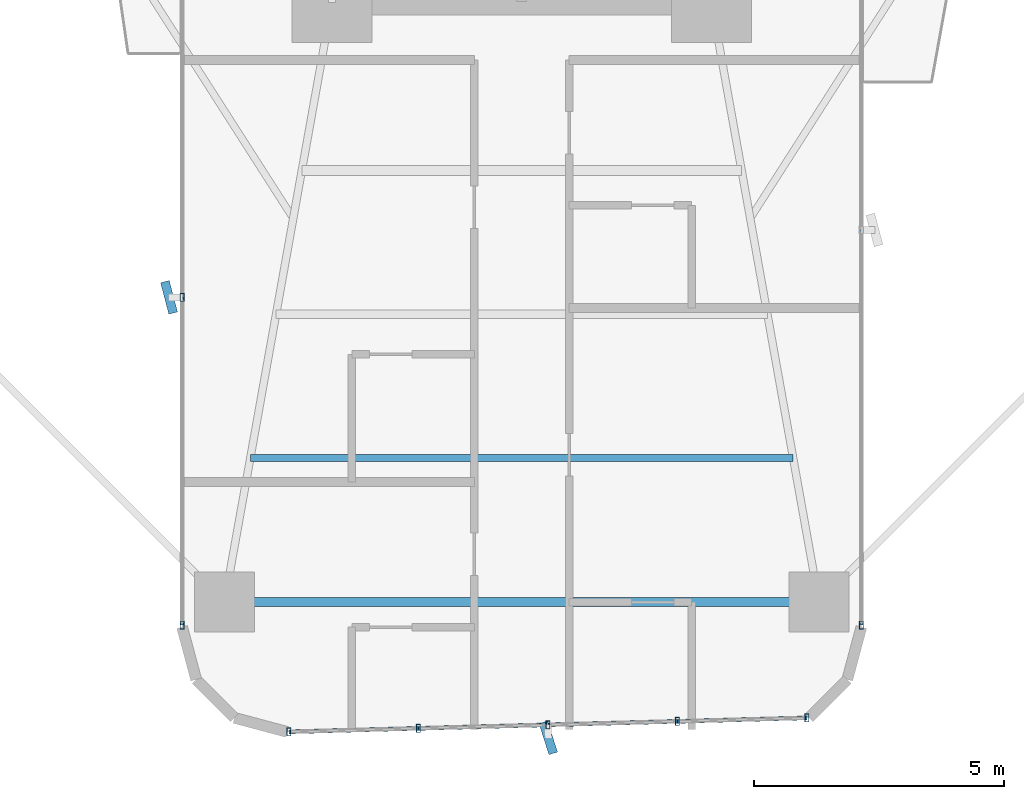
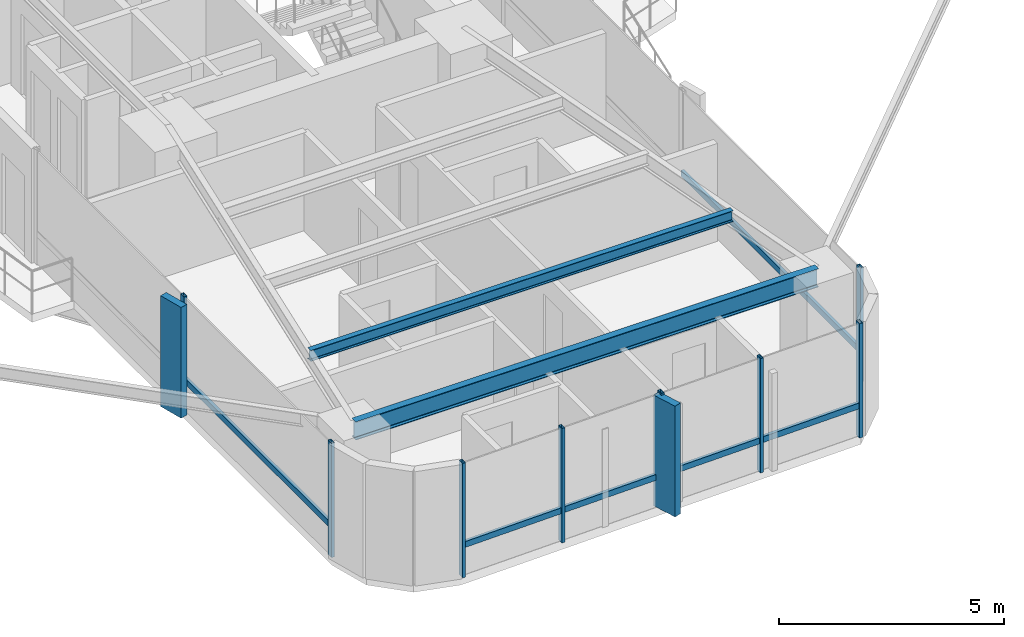
# One storey, part 2 of 26: 16 members, 2 beams, 3 elements without a shape of their own.
"""IFC4 building model written with IfcOpenShell, lengths in metres."""

import ifcopenshell
import ifcopenshell.guid

model = None  # the IFC model being written
_history = None  # IfcOwnerHistory: only IFC2X3 demands one
_inside = {}  # id of a spatial element -> (the spatial element, [elements in it])
_under = {}  # id of a project, library or spatial element -> (it, [spatial elements below it])
_declared = {}  # id of a project -> (the project, [libraries it declares])
_typed = {}  # id of a type object -> (the type object, [elements of that type])
_made_of = {}  # id of a material, layer set ... -> (it, [elements and type objects made of it])


def new_model(schema):
    """Start an empty IFC model of exactly this schema.

    Asked for "IFC4X3", IfcOpenShell would pick the latest addendum, in which some entities
    have other attributes; the version numbers below select the first issue.
    IFC2X3 requires an IfcOwnerHistory on every rooted entity: one is made here for all.
    """
    global model, _history
    if schema == "IFC4X3":
        model = ifcopenshell.file(schema_version=(4, 3, 0, 0))
    else:
        model = ifcopenshell.file(schema=schema)
    _inside.clear()
    _under.clear()
    _declared.clear()
    _typed.clear()
    _made_of.clear()
    _history = None
    if model.schema == "IFC2X3":
        org = make("IfcOrganization", Name="unknown")
        user = make(
            "IfcPersonAndOrganization",
            ThePerson=make("IfcPerson", FamilyName="unknown"),
            TheOrganization=org,
        )
        app = make(
            "IfcApplication",
            ApplicationDeveloper=org,
            Version="unknown",
            ApplicationFullName="unknown",
            ApplicationIdentifier="unknown",
        )
        _history = make(
            "IfcOwnerHistory",
            OwningUser=user,
            OwningApplication=app,
            ChangeAction="ADDED",
            CreationDate=0,
        )
    return model


def make(cls, **values):
    """One entity of the class cls with the attributes given. An attribute that is None is left unset."""
    return model.create_entity(
        cls, **{name: value for name, value in values.items() if value is not None}
    )


def rooted(cls, **values):
    """An entity with a GlobalId (a new one), such as an element, a storey or a relation."""
    return make(cls, GlobalId=ifcopenshell.guid.new(), OwnerHistory=_history, **values)


def si_unit(unit_type, name, prefix=None):
    """IfcSIUnit, for example si_unit("LENGTHUNIT", "METRE", prefix="MILLI")."""
    return make("IfcSIUnit", UnitType=unit_type, Prefix=prefix, Name=name)


def assignment(units):
    """IfcUnitAssignment: the units of a project."""
    return None if units is None else make("IfcUnitAssignment", Units=units)


def point(xyz):
    """IfcCartesianPoint."""
    return None if xyz is None else make("IfcCartesianPoint", Coordinates=xyz)


def direction(xyz):
    """IfcDirection."""
    return None if xyz is None else make("IfcDirection", DirectionRatios=xyz)


def frame(location, z_axis=None, x_axis=None):
    """IfcAxis2Placement3D, a coordinate frame: its origin and axes. An axis left out is left unset."""
    return make(
        "IfcAxis2Placement3D",
        Location=point(location),
        Axis=direction(z_axis),
        RefDirection=direction(x_axis),
    )


def frame_2d(location, x_axis=None):
    """IfcAxis2Placement2D, a coordinate frame in the plane: its origin and x axis."""
    return make(
        "IfcAxis2Placement2D", Location=point(location), RefDirection=direction(x_axis)
    )


def origin():
    """The frame at (0, 0, 0) with its axes left unset."""
    return frame((0.0, 0.0, 0.0))


def origin_2d():
    """The frame at (0, 0) in the plane with its x axis left unset."""
    return frame_2d((0.0, 0.0))


def place(relative_to, where):
    """IfcLocalPlacement: puts the frame where relative to a parent placement (None: the world)."""
    return make(
        "IfcLocalPlacement", PlacementRelTo=relative_to, RelativePlacement=where
    )


def context(
    kind, dimensions, precision=None, world=None, true_north=None, identifier=None
):
    """IfcGeometricRepresentationContext, for example the 3D "Model" context."""
    return make(
        "IfcGeometricRepresentationContext",
        ContextIdentifier=identifier,
        ContextType=kind,
        CoordinateSpaceDimension=dimensions,
        Precision=precision,
        WorldCoordinateSystem=world,
        TrueNorth=true_north,
    )


def subcontext(parent, identifier, kind, view, scale=None):
    """IfcGeometricRepresentationSubContext, for example "Body" below "Model"."""
    return make(
        "IfcGeometricRepresentationSubContext",
        ContextIdentifier=identifier,
        ContextType=kind,
        ParentContext=parent,
        TargetScale=scale,
        TargetView=view,
    )


def project(units=None, contexts=None):
    """IfcProject with its units and contexts."""
    return rooted(
        "IfcProject",
        Name="project",
        RepresentationContexts=contexts,
        UnitsInContext=assignment(units),
    )


def spatial(cls, under=None, at=None, **own):
    """A site, building, storey or space (cls), placed at a placement, below another one or the project."""
    s = rooted(cls, ObjectPlacement=at, **own)
    if under is not None:
        _under.setdefault(under.id(), (under, []))[1].append(s)
    return s


def profile(cls, at=None, kind="AREA", **sizes):
    """A parametric profile (cls). Its sizes go by their IFC names, for example OverallWidth=200.0."""
    return make(cls, ProfileType=kind, Position=at, **sizes)


def rectangle(**sizes):
    """IfcRectangleProfileDef."""
    return profile("IfcRectangleProfileDef", **sizes)


def hollow_rectangle(**sizes):
    """IfcRectangleHollowProfileDef."""
    return profile("IfcRectangleHollowProfileDef", **sizes)


def i_section(**sizes):
    """IfcIShapeProfileDef."""
    return profile("IfcIShapeProfileDef", **sizes)


def extrude(swept, where, along, depth):
    """IfcExtrudedAreaSolid: the profile swept, set in the frame where, extruded along a direction by depth."""
    return make(
        "IfcExtrudedAreaSolid",
        SweptArea=swept,
        Position=where,
        ExtrudedDirection=direction(along),
        Depth=depth,
    )


def shape(context_of_items, identifier, shape_type, items):
    """IfcShapeRepresentation: the items that make up one representation, for example the "Body"."""
    return make(
        "IfcShapeRepresentation",
        ContextOfItems=context_of_items,
        RepresentationIdentifier=identifier,
        RepresentationType=shape_type,
        Items=items,
    )


def source(mapping_origin, context_of_items, identifier, shape_type, items):
    """IfcRepresentationMap: a shape defined once, which mapped items show again and again."""
    return make(
        "IfcRepresentationMap",
        MappingOrigin=mapping_origin,
        MappedRepresentation=shape(context_of_items, identifier, shape_type, items),
    )


def transform(
    local_origin,
    x_axis=None,
    y_axis=None,
    z_axis=None,
    scale=None,
    scale2=None,
    scale3=None,
    uniform=True,
):
    """IfcCartesianTransformationOperator3D, or its non-uniform kind. x_axis, y_axis, z_axis: its Axis1, 2, 3."""
    if uniform:
        return make(
            "IfcCartesianTransformationOperator3D",
            Axis1=direction(x_axis),
            Axis2=direction(y_axis),
            LocalOrigin=point(local_origin),
            Scale=scale,
            Axis3=direction(z_axis),
        )
    return make(
        "IfcCartesianTransformationOperator3DnonUniform",
        Axis1=direction(x_axis),
        Axis2=direction(y_axis),
        LocalOrigin=point(local_origin),
        Scale=scale,
        Axis3=direction(z_axis),
        Scale2=scale2,
        Scale3=scale3,
    )


def mapped(mapping_source, mapping_target):
    """IfcMappedItem: shows the shape of a source again, moved by a transform."""
    return make(
        "IfcMappedItem", MappingSource=mapping_source, MappingTarget=mapping_target
    )


def material(Name=None, Category=None):
    """IfcMaterial."""
    return make("IfcMaterial", Name=Name, Category=Category)


def material_profile(
    of_material, cross_section, Name=None, Category=None, Priority=None
):
    """IfcMaterialProfile: a cross section and its material."""
    return make(
        "IfcMaterialProfile",
        Name=Name,
        Material=of_material,
        Profile=cross_section,
        Priority=Priority,
        Category=Category,
    )


def profile_set(profiles, Name=None, composite=None):
    """IfcMaterialProfileSet."""
    return make(
        "IfcMaterialProfileSet",
        Name=Name,
        MaterialProfiles=profiles,
        CompositeProfile=composite,
    )


def made_of(thing, what):
    """Note that an element or type object is made of a material, layer set ...; save() writes the relation."""
    if what is not None:
        _made_of.setdefault(what.id(), (what, []))[1].append(thing)
    return thing


def type_object(cls, material=None, **own):
    """A type object (cls), such as IfcWallType, which elements share."""
    return made_of(rooted(cls, **own), material)


def element(
    cls,
    number,
    at=None,
    inside=None,
    cuts=None,
    type_object=None,
    material=None,
    context=None,
    identifier="Body",
    shape_type=None,
    held_by="IfcProductDefinitionShape",
    body=None,
    shapes=None,
    **own,
):
    """One element of the class cls, such as IfcWall. Its Tag is "e" and its number.

    at: its placement. inside: the storey or other place that contains it. cuts: it is an
    opening in that element (IfcRelVoidsElement). A single representation is given by context,
    identifier, shape_type and body (its items); several are given by shapes. held_by: the class
    of the entity that holds the representations. save() writes the other relations.
    """
    e = rooted(cls, Tag="e%d" % number, ObjectPlacement=at, **own)
    if body is not None:
        shapes = [shape(context, identifier, shape_type, body)]
    if shapes is not None:
        e.Representation = make(held_by, Representations=shapes)
    if inside is not None:
        _inside.setdefault(inside.id(), (inside, []))[1].append(e)
    if cuts is not None:
        rooted(
            "IfcRelVoidsElement", RelatingBuildingElement=cuts, RelatedOpeningElement=e
        )
    if type_object is not None:
        _typed.setdefault(type_object.id(), (type_object, []))[1].append(e)
    return made_of(e, material)


def aggregate(whole, parts):
    """IfcRelAggregates: a whole, such as a stair, and the parts it consists of."""
    return rooted("IfcRelAggregates", RelatingObject=whole, RelatedObjects=parts)


def save(model, path):
    """Write the relations noted so far, then the file.

    IfcRelAggregates (storeys below a building ...), IfcRelContainedInSpatialStructure (elements
    in a storey), IfcRelDefinesByType, IfcRelAssociatesMaterial and IfcRelDeclares: one each for
    every whole, place, type object, material and project.
    """
    for whole, parts in _under.values():
        aggregate(whole, parts)
    for where, things in _inside.values():
        rooted(
            "IfcRelContainedInSpatialStructure",
            RelatedElements=things,
            RelatingStructure=where,
        )
    for kind, things in _typed.values():
        rooted("IfcRelDefinesByType", RelatedObjects=things, RelatingType=kind)
    for what, things in _made_of.values():
        rooted("IfcRelAssociatesMaterial", RelatedObjects=things, RelatingMaterial=what)
    for by, libraries in _declared.values():
        rooted("IfcRelDeclares", RelatingContext=by, RelatedDefinitions=libraries)
    model.write(path)


model = new_model("IFC4")

# Units and contexts
model_context = context("Model", 3, precision=1e-05, world=origin(), true_north=direction((0.0, 1.0)))
body_context = subcontext(model_context, "Body", "Model", "MODEL_VIEW")
ifc_project = project(units=[si_unit("LENGTHUNIT", "METRE"), si_unit("AREAUNIT", "SQUARE_METRE"), si_unit("VOLUMEUNIT", "CUBIC_METRE"), si_unit("PLANEANGLEUNIT", "RADIAN"), si_unit("MASSUNIT", "GRAM", prefix="KILO")], contexts=[model_context])

# Site, building, storey
site_placement = place(None, origin())
site = spatial("IfcSite", under=ifc_project, at=site_placement, CompositionType="ELEMENT")
building_placement = place(site_placement, origin())
building = spatial("IfcBuilding", under=site, at=building_placement, Name="Sahyath Konkavel Grand Hotel", CompositionType="ELEMENT")
storey_placement = place(building_placement, frame((0.0, 0.0, 61.10009765625)))
storey = spatial("IfcBuildingStorey", under=building, at=storey_placement, Name="L16", CompositionType="ELEMENT", Elevation=61.10009765625)

# Beams
ifc_material_1 = material(Name="Steel E350", Category="steel")
ifc_material_profile_1 = material_profile(ifc_material_1, i_section(OverallWidth=0.179931640625, OverallDepth=0.5, WebThickness=0.01025390625, FlangeThickness=0.01708984375, FilletRadius=0.01708984375, at=origin_2d()), Name="ISMB 500")
ifc_profile_set_1 = profile_set([ifc_material_profile_1], Name="Steel E350")
beam_type_1 = type_object("IfcBeamType", Name="BM-ISMB500", PredefinedType="BEAM", material=ifc_profile_set_1)
shared_shape_1 = source(origin(), body_context, "Body", "SweptSolid", [
    extrude(i_section(OverallWidth=0.179931640625, OverallDepth=0.5, WebThickness=0.01025390625, FlangeThickness=0.01708984375, FilletRadius=0.01708984375, at=origin_2d()), origin(), (0.0, 0.0, 1.0), 11.89990234375),
])
beam_1_placement = place(storey_placement, frame((-5.949951171875, -22.199951171875, 2.85986328125), z_axis=(1.0, 0.0, 0.0), x_axis=(0.0, 1.0, 0.0)))
element("IfcBeam", 1, at=beam_1_placement, inside=storey, type_object=beam_type_1, Name="L16 Wing Tip Edge Beam S", PredefinedType="BEAM", context=body_context, shape_type="MappedRepresentation", body=[
    mapped(shared_shape_1, transform((0.0, 0.0, 0.0), scale=1.0)),
])
ifc_material_profile_2 = material_profile(ifc_material_1, i_section(OverallWidth=0.139892578125, OverallDepth=0.300048828125, WebThickness=0.0078125, FlangeThickness=0.01318359375, FilletRadius=0.013916015625, at=origin_2d()), Name="ISMB 300")
ifc_profile_set_2 = profile_set([ifc_material_profile_2], Name="Steel E350")
beam_type_2 = type_object("IfcBeamType", Name="BM-ISMB300", PredefinedType="BEAM", material=ifc_profile_set_2)
shared_shape_2 = source(origin(), body_context, "Body", "SweptSolid", [
    extrude(i_section(OverallWidth=0.139892578125, OverallDepth=0.300048828125, WebThickness=0.0078125, FlangeThickness=0.01318359375, FilletRadius=0.013916015625, at=origin_2d()), origin(), (0.0, 0.0, 1.0), 10.8681640625),
])
beam_2_placement = place(storey_placement, frame((-5.43408203125, -19.320068359375, 2.9599609375), z_axis=(1.0, 0.0, 0.0), x_axis=(0.0, 1.0, 0.0)))
element("IfcBeam", 2, at=beam_2_placement, inside=storey, type_object=beam_type_2, Name="L16 Secondary Floor Beam S-3", PredefinedType="BEAM", context=body_context, shape_type="MappedRepresentation", body=[
    mapped(shared_shape_2, transform((0.0, 0.0, 0.0), scale=1.0)),
])

# Curtain wall, members
ifc_material_2 = material(Name="Anodised Bronze Aluminium & Low-E Glazing", Category="aluminium")
curtain_wall_type = type_object("IfcCurtainWallType", Name="CW-ZONE1", PredefinedType="NOTDEFINED", material=ifc_material_2)
curtain_wall_1_placement = place(storey_placement, origin())
curtain_wall_1 = element("IfcCurtainWall", 3, at=curtain_wall_1_placement, inside=storey, type_object=curtain_wall_type, Name="L16 Unitised Curtain Wall F24", PredefinedType="NOTDEFINED")
ifc_material_3 = material(Name="Anodised Bronze Aluminium", Category="aluminium")
ifc_material_profile_3 = material_profile(ifc_material_3, hollow_rectangle(XDim=0.080078125, YDim=0.159912109375, WallThickness=0.006103515625, at=origin_2d()), Name="RHS 160x80x6")
ifc_profile_set_3 = profile_set([ifc_material_profile_3], Name="Anodised Bronze Aluminium")
member_type_1 = type_object("IfcMemberType", Name="CW-MUL-160", PredefinedType="MULLION", material=ifc_profile_set_3)
shared_shape_3 = source(origin(), body_context, "Body", "SweptSolid", [
    extrude(hollow_rectangle(XDim=0.080078125, YDim=0.159912109375, WallThickness=0.006103515625, at=origin_2d()), origin(), (0.0, 0.0, 1.0), 3.10986328125),
])
member_1_placement = place(storey_placement, frame((-6.800048828125, -16.10009765625, 0.0), z_axis=(0.0, 0.0, 1.0), x_axis=(1.0, 0.0, 0.0)))
member_1 = element("IfcMember", 4, at=member_1_placement, type_object=member_type_1, Name="L16 Curtain Wall Mullion F24-1", PredefinedType="MULLION", context=body_context, shape_type="MappedRepresentation", body=[
    mapped(shared_shape_3, transform((0.0, 0.0, 0.0), scale=1.0)),
])
member_2_placement = place(storey_placement, frame((-6.800048828125, -22.659912109375, 0.0), z_axis=(0.0, 0.0, 1.0), x_axis=(1.0, 0.0, 0.0)))
member_2 = element("IfcMember", 5, at=member_2_placement, type_object=member_type_1, Name="L16 Curtain Wall Mullion F24-2", PredefinedType="MULLION", context=body_context, shape_type="MappedRepresentation", body=[
    mapped(shared_shape_3, transform((0.0, 0.0, 0.0), scale=1.0)),
])

curtain_wall_2_placement = place(storey_placement, origin())
curtain_wall_2 = element("IfcCurtainWall", 6, at=curtain_wall_2_placement, inside=storey, type_object=curtain_wall_type, Name="L16 Unitised Curtain Wall F28", PredefinedType="NOTDEFINED")
member_3_placement = place(storey_placement, frame((-4.659912109375, -24.798828125, 0.0), z_axis=(0.0, 0.0, 1.0), x_axis=(1.0, 0.0, 0.0)))
member_3 = element("IfcMember", 7, at=member_3_placement, type_object=member_type_1, Name="L16 Curtain Wall Mullion F28-0", PredefinedType="MULLION", context=body_context, shape_type="MappedRepresentation", body=[
    mapped(shared_shape_3, transform((0.0, 0.0, 0.0), scale=1.0)),
])
member_4_placement = place(storey_placement, frame((-2.0673828125, -24.72900390625, 0.0), z_axis=(0.0, 0.0, 1.0), x_axis=(1.0, 0.0, 0.0)))
member_4 = element("IfcMember", 8, at=member_4_placement, type_object=member_type_1, Name="L16 Curtain Wall Mullion F28-1", PredefinedType="MULLION", context=body_context, shape_type="MappedRepresentation", body=[
    mapped(shared_shape_3, transform((0.0, 0.0, 0.0), scale=1.0)),
])
member_5_placement = place(storey_placement, frame((0.52490234375, -24.6591796875, 0.0), z_axis=(0.0, 0.0, 1.0), x_axis=(1.0, 0.0, 0.0)))
member_5 = element("IfcMember", 9, at=member_5_placement, type_object=member_type_1, Name="L16 Curtain Wall Mullion F28-2", PredefinedType="MULLION", context=body_context, shape_type="MappedRepresentation", body=[
    mapped(shared_shape_3, transform((0.0, 0.0, 0.0), scale=1.0)),
])
member_6_placement = place(storey_placement, frame((3.117431640625, -24.589599609375, 0.0), z_axis=(0.0, 0.0, 1.0), x_axis=(1.0, 0.0, 0.0)))
member_6 = element("IfcMember", 10, at=member_6_placement, type_object=member_type_1, Name="L16 Curtain Wall Mullion F28-3", PredefinedType="MULLION", context=body_context, shape_type="MappedRepresentation", body=[
    mapped(shared_shape_3, transform((0.0, 0.0, 0.0), scale=1.0)),
])
member_7_placement = place(storey_placement, frame((5.7099609375, -24.519775390625, 0.0), z_axis=(0.0, 0.0, 1.0), x_axis=(1.0, 0.0, 0.0)))
member_7 = element("IfcMember", 11, at=member_7_placement, type_object=member_type_1, Name="L16 Curtain Wall Mullion F28-4", PredefinedType="MULLION", context=body_context, shape_type="MappedRepresentation", body=[
    mapped(shared_shape_3, transform((0.0, 0.0, 0.0), scale=1.0)),
])

# Curtain wall, member
curtain_wall_3_placement = place(storey_placement, origin())
curtain_wall_3 = element("IfcCurtainWall", 12, at=curtain_wall_3_placement, inside=storey, type_object=curtain_wall_type, Name="L16 Unitised Curtain Wall F31", PredefinedType="NOTDEFINED")
member_8_placement = place(storey_placement, frame((6.800048828125, -22.659912109375, 0.0), z_axis=(0.0, 0.0, 1.0), x_axis=(1.0, 0.0, 0.0)))
member_8 = element("IfcMember", 13, at=member_8_placement, type_object=member_type_1, Name="L16 Curtain Wall Mullion F31-0", PredefinedType="MULLION", context=body_context, shape_type="MappedRepresentation", body=[
    mapped(shared_shape_3, transform((0.0, 0.0, 0.0), scale=1.0)),
])

# Member
ifc_material_4 = material(Name="Warm Buff Sandstone Cladding on Concrete C50/60", Category="masonry")
ifc_material_profile_4 = material_profile(ifc_material_4, rectangle(XDim=0.179931640625, YDim=0.64990234375, at=origin_2d()), Name="FIN 180x650")
ifc_profile_set_4 = profile_set([ifc_material_profile_4], Name="Warm Buff Sandstone Cladding on Concrete C50/60")
member_type_2 = type_object("IfcMemberType", Name="FIN-SANDSTONE-650", PredefinedType="MULLION", material=ifc_profile_set_4)
shared_shape_4 = source(origin(), body_context, "Body", "SweptSolid", [
    extrude(rectangle(XDim=0.179931640625, YDim=0.64990234375, at=origin_2d()), origin(), (0.0, 0.0, 1.0), 3.010009765625),
])
member_9_placement = place(storey_placement, frame((-7.06005859375, -16.10009765625, 0.0498046875), z_axis=(0.0, 0.0, 1.0), x_axis=(0.967134752842, 0.254264369988, 0.0)))
member_9 = element("IfcMember", 14, at=member_9_placement, type_object=member_type_2, Name="L16 Sandstone Vertical Solar Fin FIN F24-1", PredefinedType="MULLION", context=body_context, shape_type="MappedRepresentation", body=[
    mapped(shared_shape_4, transform((0.0, 0.0, 0.0), scale=1.0)),
])

member_10_placement = place(storey_placement, frame((0.531982421875, -24.919189453125, 0.0498046875), z_axis=(0.0, 0.0, 1.0), x_axis=(0.952502159334, 0.304531831612, 0.0)))
member_10 = element("IfcMember", 15, at=member_10_placement, type_object=member_type_2, Name="L16 Sandstone Vertical Solar Fin FIN F28-2", PredefinedType="MULLION", context=body_context, shape_type="MappedRepresentation", body=[
    mapped(shared_shape_4, transform((0.0, 0.0, 0.0), scale=1.0)),
])

ifc_material_profile_5 = material_profile(ifc_material_3, hollow_rectangle(XDim=0.080078125, YDim=0.159912109375, WallThickness=0.006103515625, at=origin_2d()), Name="RHS 160x80x6")
ifc_profile_set_5 = profile_set([ifc_material_profile_5], Name="Anodised Bronze Aluminium")
member_type_3 = type_object("IfcMemberType", Name="CW-TRN-160", PredefinedType="USERDEFINED", material=ifc_profile_set_5)
shared_shape_5 = source(origin(), body_context, "Body", "SweptSolid", [
    extrude(hollow_rectangle(XDim=0.080078125, YDim=0.159912109375, WallThickness=0.006103515625, at=origin_2d()), origin(), (0.0, 0.0, 1.0), 7.909912109375),
])
member_11_placement = place(storey_placement, frame((6.800048828125, -22.659912109375, 0.849853515625), z_axis=(0.0, 1.0, 0.0), x_axis=(-1.0, 0.0, 0.0)))
member_11 = element("IfcMember", 16, at=member_11_placement, type_object=member_type_3, Name="L16 Curtain Wall Transom F31-0-spandrel", ObjectType="TRANSOM", PredefinedType="USERDEFINED", context=body_context, shape_type="MappedRepresentation", body=[
    mapped(shared_shape_5, transform((0.0, 0.0, 0.0), scale=1.0)),
])

aggregate(curtain_wall_3, [member_8, member_11])

shared_shape_6 = source(origin(), body_context, "Body", "SweptSolid", [
    extrude(hollow_rectangle(XDim=0.080078125, YDim=0.159912109375, WallThickness=0.006103515625, at=origin_2d()), origin(), (0.0, 0.0, 1.0), 2.593505859375),
])
member_12_placement = place(storey_placement, frame((-4.659912109375, -24.798828125, 0.849853515625), z_axis=(0.999637507825, 0.026923093252, 0.0), x_axis=(-0.026923093252, 0.999637507825, 0.0)))
member_12 = element("IfcMember", 17, at=member_12_placement, type_object=member_type_3, Name="L16 Curtain Wall Transom F28-0-spandrel", ObjectType="TRANSOM", PredefinedType="USERDEFINED", context=body_context, shape_type="MappedRepresentation", body=[
    mapped(shared_shape_6, transform((0.0, 0.0, 0.0), scale=1.0)),
])

member_13_placement = place(storey_placement, frame((0.52490234375, -24.6591796875, 0.849853515625), z_axis=(0.999640036937, 0.02682902444, 0.0), x_axis=(-0.02682902444, 0.999640036937, 0.0)))
member_13 = element("IfcMember", 18, at=member_13_placement, type_object=member_type_3, Name="L16 Curtain Wall Transom F28-2-spandrel", ObjectType="TRANSOM", PredefinedType="USERDEFINED", context=body_context, shape_type="MappedRepresentation", body=[
    mapped(shared_shape_6, transform((0.0, 0.0, 0.0), scale=1.0)),
])

member_14_placement = place(storey_placement, frame((3.117431640625, -24.589599609375, 0.849853515625), z_axis=(0.999637507825, 0.026923093252, 0.0), x_axis=(-0.026923093252, 0.999637507825, 0.0)))
member_14 = element("IfcMember", 19, at=member_14_placement, type_object=member_type_3, Name="L16 Curtain Wall Transom F28-3-spandrel", ObjectType="TRANSOM", PredefinedType="USERDEFINED", context=body_context, shape_type="MappedRepresentation", body=[
    mapped(shared_shape_6, transform((0.0, 0.0, 0.0), scale=1.0)),
])

shared_shape_7 = source(origin(), body_context, "Body", "SweptSolid", [
    extrude(hollow_rectangle(XDim=0.080078125, YDim=0.159912109375, WallThickness=0.006103515625, at=origin_2d()), origin(), (0.0, 0.0, 1.0), 2.59326171875),
])
member_15_placement = place(storey_placement, frame((-2.0673828125, -24.72900390625, 0.849853515625), z_axis=(0.99963743958, 0.026925627022, 0.0), x_axis=(-0.026925627022, 0.99963743958, 0.0)))
member_15 = element("IfcMember", 20, at=member_15_placement, type_object=member_type_3, Name="L16 Curtain Wall Transom F28-1-spandrel", ObjectType="TRANSOM", PredefinedType="USERDEFINED", context=body_context, shape_type="MappedRepresentation", body=[
    mapped(shared_shape_7, transform((0.0, 0.0, 0.0), scale=1.0)),
])

aggregate(curtain_wall_2, [member_3, member_4, member_5, member_10, member_6, member_7, member_12, member_15, member_13, member_14])

shared_shape_8 = source(origin(), body_context, "Body", "SweptSolid", [
    extrude(hollow_rectangle(XDim=0.080078125, YDim=0.159912109375, WallThickness=0.006103515625, at=origin_2d()), origin(), (0.0, 0.0, 1.0), 6.559814453125),
])
member_16_placement = place(storey_placement, frame((-6.800048828125, -16.10009765625, 0.849853515625), z_axis=(0.0, -1.0, 0.0), x_axis=(1.0, 0.0, 0.0)))
member_16 = element("IfcMember", 21, at=member_16_placement, type_object=member_type_3, Name="L16 Curtain Wall Transom F24-1-spandrel", ObjectType="TRANSOM", PredefinedType="USERDEFINED", context=body_context, shape_type="MappedRepresentation", body=[
    mapped(shared_shape_8, transform((0.0, 0.0, 0.0), scale=1.0)),
])

aggregate(curtain_wall_1, [member_1, member_9, member_2, member_16])

save(model, "model.ifc")
